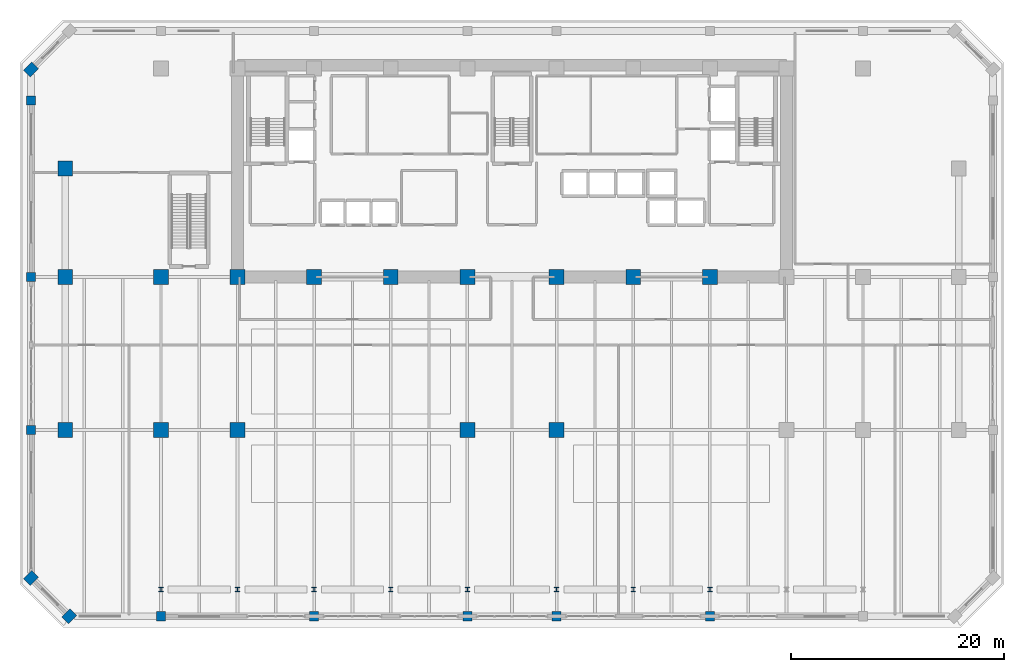
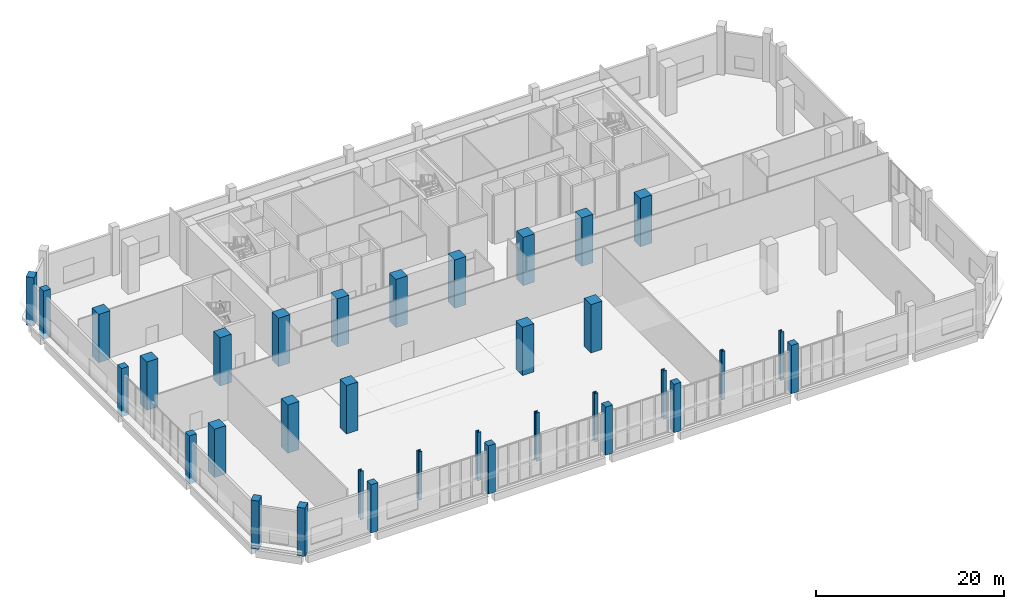
# One storey, part 1 of 29: 34 columns.
"""IFC4 building model written with IfcOpenShell, lengths in metres."""

import ifcopenshell
import ifcopenshell.guid

model = None  # the IFC model being written
_history = None  # IfcOwnerHistory: only IFC2X3 demands one
_inside = {}  # id of a spatial element -> (the spatial element, [elements in it])
_under = {}  # id of a project, library or spatial element -> (it, [spatial elements below it])
_declared = {}  # id of a project -> (the project, [libraries it declares])
_typed = {}  # id of a type object -> (the type object, [elements of that type])
_made_of = {}  # id of a material, layer set ... -> (it, [elements and type objects made of it])


def new_model(schema):
    """Start an empty IFC model of exactly this schema.

    Asked for "IFC4X3", IfcOpenShell would pick the latest addendum, in which some entities
    have other attributes; the version numbers below select the first issue.
    IFC2X3 requires an IfcOwnerHistory on every rooted entity: one is made here for all.
    """
    global model, _history
    if schema == "IFC4X3":
        model = ifcopenshell.file(schema_version=(4, 3, 0, 0))
    else:
        model = ifcopenshell.file(schema=schema)
    _inside.clear()
    _under.clear()
    _declared.clear()
    _typed.clear()
    _made_of.clear()
    _history = None
    if model.schema == "IFC2X3":
        org = make("IfcOrganization", Name="unknown")
        user = make(
            "IfcPersonAndOrganization",
            ThePerson=make("IfcPerson", FamilyName="unknown"),
            TheOrganization=org,
        )
        app = make(
            "IfcApplication",
            ApplicationDeveloper=org,
            Version="unknown",
            ApplicationFullName="unknown",
            ApplicationIdentifier="unknown",
        )
        _history = make(
            "IfcOwnerHistory",
            OwningUser=user,
            OwningApplication=app,
            ChangeAction="ADDED",
            CreationDate=0,
        )
    return model


def make(cls, **values):
    """One entity of the class cls with the attributes given. An attribute that is None is left unset."""
    return model.create_entity(
        cls, **{name: value for name, value in values.items() if value is not None}
    )


def rooted(cls, **values):
    """An entity with a GlobalId (a new one), such as an element, a storey or a relation."""
    return make(cls, GlobalId=ifcopenshell.guid.new(), OwnerHistory=_history, **values)


def si_unit(unit_type, name, prefix=None):
    """IfcSIUnit, for example si_unit("LENGTHUNIT", "METRE", prefix="MILLI")."""
    return make("IfcSIUnit", UnitType=unit_type, Prefix=prefix, Name=name)


def assignment(units):
    """IfcUnitAssignment: the units of a project."""
    return None if units is None else make("IfcUnitAssignment", Units=units)


def point(xyz):
    """IfcCartesianPoint."""
    return None if xyz is None else make("IfcCartesianPoint", Coordinates=xyz)


def direction(xyz):
    """IfcDirection."""
    return None if xyz is None else make("IfcDirection", DirectionRatios=xyz)


def frame(location, z_axis=None, x_axis=None):
    """IfcAxis2Placement3D, a coordinate frame: its origin and axes. An axis left out is left unset."""
    return make(
        "IfcAxis2Placement3D",
        Location=point(location),
        Axis=direction(z_axis),
        RefDirection=direction(x_axis),
    )


def frame_2d(location, x_axis=None):
    """IfcAxis2Placement2D, a coordinate frame in the plane: its origin and x axis."""
    return make(
        "IfcAxis2Placement2D", Location=point(location), RefDirection=direction(x_axis)
    )


def origin():
    """The frame at (0, 0, 0) with its axes left unset."""
    return frame((0.0, 0.0, 0.0))


def origin_2d():
    """The frame at (0, 0) in the plane with its x axis left unset."""
    return frame_2d((0.0, 0.0))


def place(relative_to, where):
    """IfcLocalPlacement: puts the frame where relative to a parent placement (None: the world)."""
    return make(
        "IfcLocalPlacement", PlacementRelTo=relative_to, RelativePlacement=where
    )


def context(
    kind, dimensions, precision=None, world=None, true_north=None, identifier=None
):
    """IfcGeometricRepresentationContext, for example the 3D "Model" context."""
    return make(
        "IfcGeometricRepresentationContext",
        ContextIdentifier=identifier,
        ContextType=kind,
        CoordinateSpaceDimension=dimensions,
        Precision=precision,
        WorldCoordinateSystem=world,
        TrueNorth=true_north,
    )


def subcontext(parent, identifier, kind, view, scale=None):
    """IfcGeometricRepresentationSubContext, for example "Body" below "Model"."""
    return make(
        "IfcGeometricRepresentationSubContext",
        ContextIdentifier=identifier,
        ContextType=kind,
        ParentContext=parent,
        TargetScale=scale,
        TargetView=view,
    )


def project(units=None, contexts=None):
    """IfcProject with its units and contexts."""
    return rooted(
        "IfcProject",
        Name="project",
        RepresentationContexts=contexts,
        UnitsInContext=assignment(units),
    )


def spatial(cls, under=None, at=None, **own):
    """A site, building, storey or space (cls), placed at a placement, below another one or the project."""
    s = rooted(cls, ObjectPlacement=at, **own)
    if under is not None:
        _under.setdefault(under.id(), (under, []))[1].append(s)
    return s


def profile(cls, at=None, kind="AREA", **sizes):
    """A parametric profile (cls). Its sizes go by their IFC names, for example OverallWidth=200.0."""
    return make(cls, ProfileType=kind, Position=at, **sizes)


def rectangle(**sizes):
    """IfcRectangleProfileDef."""
    return profile("IfcRectangleProfileDef", **sizes)


def i_section(**sizes):
    """IfcIShapeProfileDef."""
    return profile("IfcIShapeProfileDef", **sizes)


def extrude(swept, where, along, depth):
    """IfcExtrudedAreaSolid: the profile swept, set in the frame where, extruded along a direction by depth."""
    return make(
        "IfcExtrudedAreaSolid",
        SweptArea=swept,
        Position=where,
        ExtrudedDirection=direction(along),
        Depth=depth,
    )


def shape(context_of_items, identifier, shape_type, items):
    """IfcShapeRepresentation: the items that make up one representation, for example the "Body"."""
    return make(
        "IfcShapeRepresentation",
        ContextOfItems=context_of_items,
        RepresentationIdentifier=identifier,
        RepresentationType=shape_type,
        Items=items,
    )


def material(Name=None, Category=None):
    """IfcMaterial."""
    return make("IfcMaterial", Name=Name, Category=Category)


def material_profile(
    of_material, cross_section, Name=None, Category=None, Priority=None
):
    """IfcMaterialProfile: a cross section and its material."""
    return make(
        "IfcMaterialProfile",
        Name=Name,
        Material=of_material,
        Profile=cross_section,
        Priority=Priority,
        Category=Category,
    )


def profile_set(profiles, Name=None, composite=None):
    """IfcMaterialProfileSet."""
    return make(
        "IfcMaterialProfileSet",
        Name=Name,
        MaterialProfiles=profiles,
        CompositeProfile=composite,
    )


def made_of(thing, what):
    """Note that an element or type object is made of a material, layer set ...; save() writes the relation."""
    if what is not None:
        _made_of.setdefault(what.id(), (what, []))[1].append(thing)
    return thing


def type_object(cls, material=None, **own):
    """A type object (cls), such as IfcWallType, which elements share."""
    return made_of(rooted(cls, **own), material)


def element(
    cls,
    number,
    at=None,
    inside=None,
    cuts=None,
    type_object=None,
    material=None,
    context=None,
    identifier="Body",
    shape_type=None,
    held_by="IfcProductDefinitionShape",
    body=None,
    shapes=None,
    **own,
):
    """One element of the class cls, such as IfcWall. Its Tag is "e" and its number.

    at: its placement. inside: the storey or other place that contains it. cuts: it is an
    opening in that element (IfcRelVoidsElement). A single representation is given by context,
    identifier, shape_type and body (its items); several are given by shapes. held_by: the class
    of the entity that holds the representations. save() writes the other relations.
    """
    e = rooted(cls, Tag="e%d" % number, ObjectPlacement=at, **own)
    if body is not None:
        shapes = [shape(context, identifier, shape_type, body)]
    if shapes is not None:
        e.Representation = make(held_by, Representations=shapes)
    if inside is not None:
        _inside.setdefault(inside.id(), (inside, []))[1].append(e)
    if cuts is not None:
        rooted(
            "IfcRelVoidsElement", RelatingBuildingElement=cuts, RelatedOpeningElement=e
        )
    if type_object is not None:
        _typed.setdefault(type_object.id(), (type_object, []))[1].append(e)
    return made_of(e, material)


def aggregate(whole, parts):
    """IfcRelAggregates: a whole, such as a stair, and the parts it consists of."""
    return rooted("IfcRelAggregates", RelatingObject=whole, RelatedObjects=parts)


def save(model, path):
    """Write the relations noted so far, then the file.

    IfcRelAggregates (storeys below a building ...), IfcRelContainedInSpatialStructure (elements
    in a storey), IfcRelDefinesByType, IfcRelAssociatesMaterial and IfcRelDeclares: one each for
    every whole, place, type object, material and project.
    """
    for whole, parts in _under.values():
        aggregate(whole, parts)
    for where, things in _inside.values():
        rooted(
            "IfcRelContainedInSpatialStructure",
            RelatedElements=things,
            RelatingStructure=where,
        )
    for kind, things in _typed.values():
        rooted("IfcRelDefinesByType", RelatedObjects=things, RelatingType=kind)
    for what, things in _made_of.values():
        rooted("IfcRelAssociatesMaterial", RelatedObjects=things, RelatingMaterial=what)
    for by, libraries in _declared.values():
        rooted("IfcRelDeclares", RelatingContext=by, RelatedDefinitions=libraries)
    model.write(path)


model = new_model("IFC4")

# Units and contexts
model_context = context("Model", 3, precision=1e-05, world=origin(), true_north=direction((0.0, 1.0)))
body_context = subcontext(model_context, "Body", "Model", "MODEL_VIEW")
ifc_project = project(units=[si_unit("LENGTHUNIT", "METRE"), si_unit("AREAUNIT", "SQUARE_METRE"), si_unit("VOLUMEUNIT", "CUBIC_METRE"), si_unit("PLANEANGLEUNIT", "RADIAN"), si_unit("MASSUNIT", "GRAM", prefix="KILO")], contexts=[model_context])

# Site, building, storey
site_placement = place(None, origin())
site = spatial("IfcSite", under=ifc_project, at=site_placement, CompositionType="ELEMENT")
building_placement = place(site_placement, origin())
building = spatial("IfcBuilding", under=site, at=building_placement, Name="Kaelvorn Grand Hotel", CompositionType="ELEMENT")
storey_placement = place(building_placement, frame((0.0, 0.0, 19.39990234375)))
storey = spatial("IfcBuildingStorey", under=building, at=storey_placement, Name="L03", CompositionType="ELEMENT", Elevation=19.39990234375)

# Columns
ifc_material_1 = material(Name="Concrete C80/95", Category="concrete")
ifc_material_profile_1 = material_profile(ifc_material_1, rectangle(XDim=1.10009765625, YDim=0.89990234375, at=origin_2d()), Name="RC PILASTER 1100x900")
ifc_profile_set_1 = profile_set([ifc_material_profile_1], Name="Concrete C80/95")
column_type_1 = type_object("IfcColumnType", Name="COL-PIL-1100x900-C80", PredefinedType="PILASTER", material=ifc_profile_set_1)
for number, where, z_axis, x_axis, name in (
    (1, (0.39990234375, -2.5, 0.0), (0.0, 0.0, 1.0), (0.707106781187, 0.707106781187, 0.0), "L03 Structural Column PDCH-01"),
    (2, (-3.199951171875, 48.89990234375, 0.0), (0.0, 0.0, 1.0), (0.707106781187, 0.707106781187, 0.0), "L03 Structural Column PDCH-07"),
    (3, (-3.199951171875, 1.10009765625, 0.0), (0.0, 0.0, 1.0), (0.707106781187, 0.707106781187, 0.0), "L03 Structural Column PDCH-08"),
):
    element("IfcColumn", number, at=place(storey_placement, frame(where, z_axis=z_axis, x_axis=x_axis)), inside=storey, type_object=column_type_1, Name=name, PredefinedType="PILASTER", context=body_context, shape_type="SweptSolid", body=[
        extrude(rectangle(XDim=1.10009765625, YDim=0.89990234375, at=origin_2d()), origin(), (0.0, 0.0, 1.0), 6.280029296875),
    ])
ifc_material_profile_2 = material_profile(ifc_material_1, rectangle(XDim=1.39990234375, YDim=1.39990234375, at=origin_2d()), Name="RC COL 1400x1400")
ifc_profile_set_2 = profile_set([ifc_material_profile_2], Name="Concrete C80/95")
column_type_2 = type_object("IfcColumnType", Name="COL-RC-1400-C80", PredefinedType="COLUMN", material=ifc_profile_set_2)
for number, where, z_axis, x_axis, name in (
    (4, (9.0, 29.39990234375, 0.0), (0.0, 0.0, 1.0), (1.0, 0.0, 0.0), "L03 Structural Column TC-01"),
    (5, (16.199951171875, 29.39990234375, 0.0), (0.0, 0.0, 1.0), (1.0, 0.0, 0.0), "L03 Structural Column TC-02"),
    (6, (23.39990234375, 29.39990234375, 0.0), (0.0, 0.0, 1.0), (1.0, 0.0, 0.0), "L03 Structural Column TC-03"),
    (7, (30.60009765625, 29.39990234375, 0.0), (0.0, 0.0, 1.0), (1.0, 0.0, 0.0), "L03 Structural Column TC-04"),
    (8, (37.800048828125, 29.39990234375, 0.0), (0.0, 0.0, 1.0), (1.0, 0.0, 0.0), "L03 Structural Column TC-05"),
    (9, (46.199951171875, 29.39990234375, 0.0), (0.0, 0.0, 1.0), (1.0, 0.0, 0.0), "L03 Structural Column TC-06"),
    (10, (53.39990234375, 29.39990234375, 0.0), (0.0, 0.0, 1.0), (1.0, 0.0, 0.0), "L03 Structural Column TC-07"),
    (11, (60.60009765625, 29.39990234375, 0.0), (0.0, 0.0, 1.0), (1.0, 0.0, 0.0), "L03 Structural Column TC-08"),
    (12, (9.0, 15.0, 0.0), (0.0, 0.0, 1.0), (1.0, 0.0, 0.0), "L03 Structural Column TM-01"),
    (13, (37.800048828125, 15.0, 0.0), (0.0, 0.0, 1.0), (1.0, 0.0, 0.0), "L03 Structural Column TM-02"),
    (14, (46.199951171875, 15.0, 0.0), (0.0, 0.0, 1.0), (1.0, 0.0, 0.0), "L03 Structural Column TM-03"),
    (15, (16.199951171875, 15.0, 0.0), (0.0, 0.0, 1.0), (1.0, 0.0, 0.0), "L03 Structural Column TMR-01"),
    (16, (0.0, 15.0, 0.0), (0.0, 0.0, 1.0), (1.0, 0.0, 0.0), "L03 Structural Column TW-01"),
    (17, (0.0, 29.39990234375, 0.0), (0.0, 0.0, 1.0), (1.0, 0.0, 0.0), "L03 Structural Column TW-02"),
    (18, (0.0, 39.60009765625, 0.0), (0.0, 0.0, 1.0), (1.0, 0.0, 0.0), "L03 Structural Column TW-03"),
):
    element("IfcColumn", number, at=place(storey_placement, frame(where, z_axis=z_axis, x_axis=x_axis)), inside=storey, type_object=column_type_2, Name=name, PredefinedType="COLUMN", context=body_context, shape_type="SweptSolid", body=[
        extrude(rectangle(XDim=1.39990234375, YDim=1.39990234375, at=origin_2d()), origin(), (0.0, 0.0, 1.0), 6.280029296875),
    ])
ifc_material_2 = material(Name="Concrete C50/60", Category="concrete")
ifc_material_profile_3 = material_profile(ifc_material_2, rectangle(XDim=0.85009765625, YDim=0.85009765625, at=origin_2d()), Name="RC COL 850x850")
ifc_profile_set_3 = profile_set([ifc_material_profile_3], Name="Concrete C50/60")
column_type_3 = type_object("IfcColumnType", Name="COL-RC-850-C50", PredefinedType="COLUMN", material=ifc_profile_set_3)
for number, where, z_axis, x_axis, name in (
    (19, (9.0, -2.5, 0.0), (0.0, 0.0, 1.0), (1.0, 0.0, 0.0), "L03 Structural Column PDS-01"),
    (20, (23.39990234375, -2.5, 0.0), (0.0, 0.0, 1.0), (1.0, 0.0, 0.0), "L03 Structural Column PDS-02"),
    (21, (37.800048828125, -2.5, 0.0), (0.0, 0.0, 1.0), (1.0, 0.0, 0.0), "L03 Structural Column PDS-03"),
    (22, (46.199951171875, -2.5, 0.0), (0.0, 0.0, 1.0), (1.0, 0.0, 0.0), "L03 Structural Column PDS-04"),
    (23, (60.60009765625, -2.5, 0.0), (0.0, 0.0, 1.0), (1.0, 0.0, 0.0), "L03 Structural Column PDS-05"),
    (24, (-3.199951171875, 15.0, 0.0), (0.0, 0.0, 1.0), (1.0, 0.0, 0.0), "L03 Structural Column PDW-01"),
    (25, (-3.199951171875, 29.39990234375, 0.0), (0.0, 0.0, 1.0), (1.0, 0.0, 0.0), "L03 Structural Column PDW-02"),
    (26, (-3.199951171875, 46.0, 0.0), (0.0, 0.0, 1.0), (1.0, 0.0, 0.0), "L03 Structural Column PDW-03"),
):
    element("IfcColumn", number, at=place(storey_placement, frame(where, z_axis=z_axis, x_axis=x_axis)), inside=storey, type_object=column_type_3, Name=name, PredefinedType="COLUMN", context=body_context, shape_type="SweptSolid", body=[
        extrude(rectangle(XDim=0.85009765625, YDim=0.85009765625, at=origin_2d()), origin(), (0.0, 0.0, 1.0), 6.280029296875),
    ])
ifc_material_3 = material(Name="Steel S460", Category="steel")
ifc_material_profile_4 = material_profile(ifc_material_3, i_section(OverallWidth=0.412109375, OverallDepth=0.43505859375, WebThickness=0.035888671875, FlangeThickness=0.055908203125, FilletRadius=0.014892578125, at=origin_2d()), Name="HD 400x463")
ifc_profile_set_4 = profile_set([ifc_material_profile_4], Name="Steel S460")
column_type_4 = type_object("IfcColumnType", Name="COL-STL-HD400-S460", PredefinedType="COLUMN", material=ifc_profile_set_4)
for number, where, z_axis, x_axis, name in (
    (27, (9.0, 0.0, 0.0), (0.0, 0.0, 1.0), (1.0, 0.0, 0.0), "L03 Structural Column TS-01"),
    (28, (16.199951171875, 0.0, 0.0), (0.0, 0.0, 1.0), (1.0, 0.0, 0.0), "L03 Structural Column TS-02"),
    (29, (23.39990234375, 0.0, 0.0), (0.0, 0.0, 1.0), (1.0, 0.0, 0.0), "L03 Structural Column TS-03"),
    (30, (30.60009765625, 0.0, 0.0), (0.0, 0.0, 1.0), (1.0, 0.0, 0.0), "L03 Structural Column TS-04"),
    (31, (37.800048828125, 0.0, 0.0), (0.0, 0.0, 1.0), (1.0, 0.0, 0.0), "L03 Structural Column TS-05"),
    (32, (46.199951171875, 0.0, 0.0), (0.0, 0.0, 1.0), (1.0, 0.0, 0.0), "L03 Structural Column TS-06"),
    (33, (53.39990234375, 0.0, 0.0), (0.0, 0.0, 1.0), (1.0, 0.0, 0.0), "L03 Structural Column TS-07"),
    (34, (60.60009765625, 0.0, 0.0), (0.0, 0.0, 1.0), (1.0, 0.0, 0.0), "L03 Structural Column TS-08"),
):
    element("IfcColumn", number, at=place(storey_placement, frame(where, z_axis=z_axis, x_axis=x_axis)), inside=storey, type_object=column_type_4, Name=name, PredefinedType="COLUMN", context=body_context, shape_type="SweptSolid", body=[
        extrude(i_section(OverallWidth=0.412109375, OverallDepth=0.43505859375, WebThickness=0.035888671875, FlangeThickness=0.055908203125, FilletRadius=0.014892578125, at=origin_2d()), origin(), (0.0, 0.0, 1.0), 6.280029296875),
    ])

save(model, "model.ifc")
